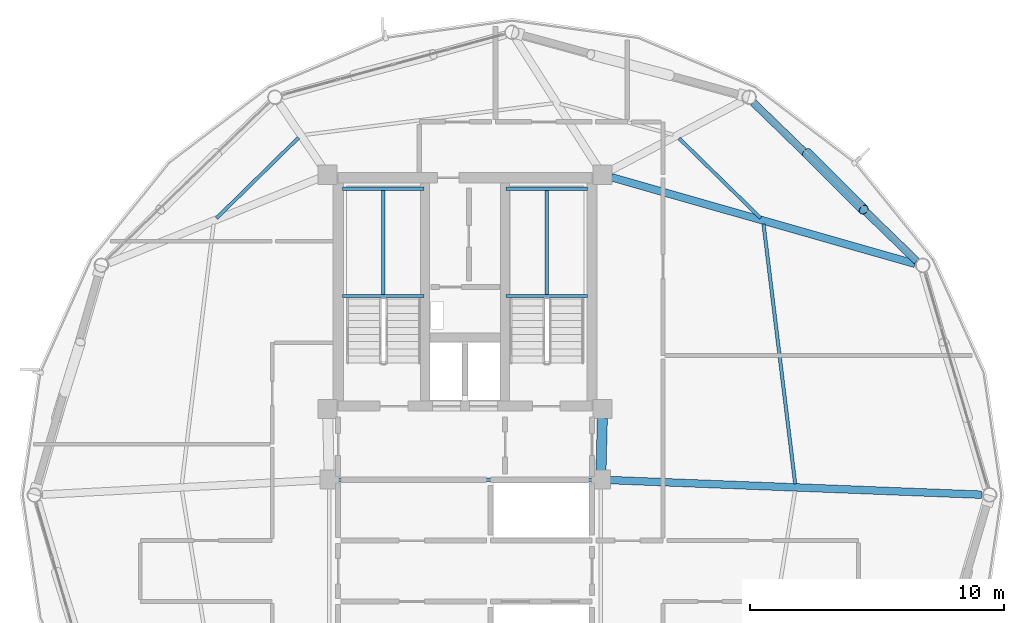
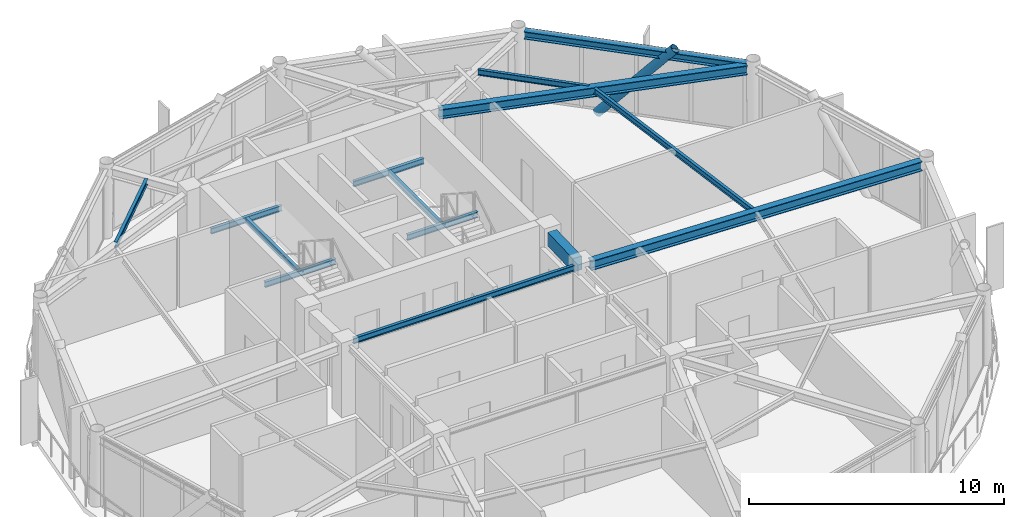
# One storey, part 14 of 27: 14 beams, 1 member.
"""IFC4 building model written with IfcOpenShell, lengths in metres."""

from ifc_helpers import new_model, si_unit, direction, frame, origin, origin_2d, place, context, subcontext, project, spatial, rectangle, hollow_circle, i_section, extrude, material, material_profile, profile_set, type_object, element, save


model = new_model("IFC4")

# Units and contexts
model_context = context("Model", 3, precision=1e-05, world=origin(), true_north=direction((0.0, 1.0)))
body_context = subcontext(model_context, "Body", "Model", "MODEL_VIEW")
ifc_project = project(units=[si_unit("LENGTHUNIT", "METRE"), si_unit("AREAUNIT", "SQUARE_METRE"), si_unit("VOLUMEUNIT", "CUBIC_METRE"), si_unit("PLANEANGLEUNIT", "RADIAN"), si_unit("MASSUNIT", "GRAM", prefix="KILO")], contexts=[model_context])

# Site, building, storey
site_placement = place(None, origin())
site = spatial("IfcSite", under=ifc_project, at=site_placement, CompositionType="ELEMENT")
building_placement = place(site_placement, origin())
building = spatial("IfcBuilding", under=site, at=building_placement, Name="Varnakorn Sky Granary", CompositionType="ELEMENT")
storey_placement = place(building_placement, frame((0.0, 0.0, 229.199951171875)))
storey = spatial("IfcBuildingStorey", under=building, at=storey_placement, Name="L58", CompositionType="ELEMENT", Elevation=229.199951171875)

# Beams
ifc_material_1 = material(Name="Concrete C50/60", Category="concrete")
ifc_material_profile_1 = material_profile(ifc_material_1, rectangle(XDim=0.39990234375, YDim=0.64990234375, at=origin_2d()), Name="RC 400x650")
ifc_profile_set_1 = profile_set([ifc_material_profile_1], Name="Concrete C50/60")
beam_type_1 = type_object("IfcBeamType", Name="BM-LIN-650", PredefinedType="LINTEL", material=ifc_profile_set_1)
beam_1_placement = place(storey_placement, frame((8.4111328125, 3.025146484375, 3.03515625), z_axis=(-0.025227817192, -0.999681727971, 0.0), x_axis=(0.999681727971, -0.025227817192, 0.0)))
element("IfcBeam", 1, at=beam_1_placement, inside=storey, type_object=beam_type_1, Name="Core Spine Framing Beam 2 L58", PredefinedType="LINTEL", context=body_context, shape_type="SweptSolid", body=[
    extrude(rectangle(XDim=0.39990234375, YDim=0.64990234375, at=origin_2d()), origin(), (0.0, 0.0, 1.0), 2.071044921875),
])
ifc_material_2 = material(Name="Steel S355JR", Category="steel")
ifc_material_profile_2 = material_profile(ifc_material_2, i_section(OverallWidth=0.135009765625, OverallDepth=0.27001953125, WebThickness=0.006591796875, FlangeThickness=0.01025390625, at=origin_2d()), Name="IPE 270")
ifc_profile_set_2 = profile_set([ifc_material_profile_2], Name="Steel S355JR")
beam_type_2 = type_object("IfcBeamType", Name="BM-LND-270", PredefinedType="BEAM", material=ifc_profile_set_2)
for number, where, z_axis, x_axis, name in (
    (2, (-1.820068359375, 7.840087890625, 1.465087890625), (1.0, 0.0, 0.0), (0.0, 1.0, 0.0), "Stair ST-1 Landing Trimmer Beam A L58-1"),
    (3, (-1.820068359375, 12.06005859375, 1.465087890625), (1.0, 0.0, 0.0), (0.0, 1.0, 0.0), "Stair ST-1 Landing Trimmer Beam B L58-1"),
):
    element("IfcBeam", number, at=place(storey_placement, frame(where, z_axis=z_axis, x_axis=x_axis)), inside=storey, type_object=beam_type_2, Name=name, PredefinedType="BEAM", context=body_context, shape_type="SweptSolid", body=[
        extrude(i_section(OverallWidth=0.135009765625, OverallDepth=0.27001953125, WebThickness=0.006591796875, FlangeThickness=0.01025390625, at=origin_2d()), origin(), (0.0, 0.0, 1.0), 3.199951171875),
    ])
beam_2_placement = place(storey_placement, frame((-0.219970703125, 7.840087890625, 1.465087890625), z_axis=(0.0, 1.0, 0.0), x_axis=(-1.0, 0.0, 0.0)))
element("IfcBeam", 4, at=beam_2_placement, inside=storey, type_object=beam_type_2, Name="Stair ST-1 Landing Cross Beam C L58-1", PredefinedType="BEAM", context=body_context, shape_type="SweptSolid", body=[
    extrude(i_section(OverallWidth=0.135009765625, OverallDepth=0.27001953125, WebThickness=0.006591796875, FlangeThickness=0.01025390625, at=origin_2d()), origin(), (0.0, 0.0, 1.0), 4.219970703125),
])
for number, where, z_axis, x_axis, name in (
    (5, (4.6201171875, 7.840087890625, 1.465087890625), (1.0, 0.0, 0.0), (0.0, 1.0, 0.0), "Stair ST-2 Landing Trimmer Beam A L58-1"),
    (6, (4.6201171875, 12.06005859375, 1.465087890625), (1.0, 0.0, 0.0), (0.0, 1.0, 0.0), "Stair ST-2 Landing Trimmer Beam B L58-1"),
):
    element("IfcBeam", number, at=place(storey_placement, frame(where, z_axis=z_axis, x_axis=x_axis)), inside=storey, type_object=beam_type_2, Name=name, PredefinedType="BEAM", context=body_context, shape_type="SweptSolid", body=[
        extrude(i_section(OverallWidth=0.135009765625, OverallDepth=0.27001953125, WebThickness=0.006591796875, FlangeThickness=0.01025390625, at=origin_2d()), origin(), (0.0, 0.0, 1.0), 3.199951171875),
    ])
beam_3_placement = place(storey_placement, frame((6.219970703125, 7.840087890625, 1.465087890625), z_axis=(0.0, 1.0, 0.0), x_axis=(-1.0, 0.0, 0.0)))
element("IfcBeam", 7, at=beam_3_placement, inside=storey, type_object=beam_type_2, Name="Stair ST-2 Landing Cross Beam C L58-1", PredefinedType="BEAM", context=body_context, shape_type="SweptSolid", body=[
    extrude(i_section(OverallWidth=0.135009765625, OverallDepth=0.27001953125, WebThickness=0.006591796875, FlangeThickness=0.01025390625, at=origin_2d()), origin(), (0.0, 0.0, 1.0), 4.219970703125),
])
ifc_material_profile_3 = material_profile(ifc_material_2, i_section(OverallWidth=0.300048828125, OverallDepth=0.449951171875, WebThickness=0.013916015625, FlangeThickness=0.02587890625, at=origin_2d()), Name="HE 450 B")
ifc_profile_set_3 = profile_set([ifc_material_profile_3], Name="Steel S355JR")
beam_type_3 = type_object("IfcBeamType", Name="BM-RAD-Z5", PredefinedType="BEAM", material=ifc_profile_set_3)
beam_4_placement = place(storey_placement, frame((8.70458984375, 0.586181640625, 3.135009765625), z_axis=(0.999228519968, -0.039272953581, 0.0), x_axis=(0.039272953581, 0.999228519968, 0.0)))
element("IfcBeam", 8, at=beam_4_placement, inside=storey, type_object=beam_type_3, Name="Radial Floor Girder RG01 L58", PredefinedType="BEAM", context=body_context, shape_type="SweptSolid", body=[
    extrude(i_section(OverallWidth=0.300048828125, OverallDepth=0.449951171875, WebThickness=0.013916015625, FlangeThickness=0.02587890625, at=origin_2d()), origin(), (0.0, 0.0, 1.0), 14.658447265625),
])
beam_5_placement = place(storey_placement, frame((8.761474609375, 12.522705078125, 3.135009765625), z_axis=(0.961648942909, -0.274283267082, 0.0), x_axis=(0.274283267082, 0.961648942909, 0.0)))
element("IfcBeam", 9, at=beam_5_placement, inside=storey, type_object=beam_type_3, Name="Radial Floor Girder RG02 L58", PredefinedType="BEAM", context=body_context, shape_type="SweptSolid", body=[
    extrude(i_section(OverallWidth=0.300048828125, OverallDepth=0.449951171875, WebThickness=0.013916015625, FlangeThickness=0.02587890625, at=origin_2d()), origin(), (0.0, 0.0, 1.0), 12.4462890625),
])
ifc_material_profile_4 = material_profile(ifc_material_2, i_section(OverallWidth=0.135009765625, OverallDepth=0.27001953125, WebThickness=0.006591796875, FlangeThickness=0.01025390625, at=origin_2d()), Name="IPE 270")
ifc_profile_set_4 = profile_set([ifc_material_profile_4], Name="Steel S355JR")
beam_type_4 = type_object("IfcBeamType", Name="BM-SEC-Z5", PredefinedType="BEAM", material=ifc_profile_set_4)
beam_6_placement = place(storey_placement, frame((16.01123046875, 0.437255859375, 3.22509765625), z_axis=(-0.121013421326, 0.992650871082, 0.0), x_axis=(-0.992650871082, -0.121013421326, 0.0)))
element("IfcBeam", 10, at=beam_6_placement, inside=storey, type_object=beam_type_4, Name="Secondary Floor Chord Beam MSB01 L58", PredefinedType="BEAM", context=body_context, shape_type="SweptSolid", body=[
    extrude(i_section(OverallWidth=0.135009765625, OverallDepth=0.27001953125, WebThickness=0.006591796875, FlangeThickness=0.01025390625, at=origin_2d()), origin(), (0.0, 0.0, 1.0), 10.3154296875),
])
beam_7_placement = place(storey_placement, frame((14.64599609375, 10.913818359375, 3.22509765625), z_axis=(-0.714613901004, 0.699519100877, 0.0), x_axis=(-0.699519100877, -0.714613901004, 0.0)))
element("IfcBeam", 11, at=beam_7_placement, inside=storey, type_object=beam_type_4, Name="Secondary Floor Chord Beam MSB02 L58", PredefinedType="BEAM", context=body_context, shape_type="SweptSolid", body=[
    extrude(i_section(OverallWidth=0.135009765625, OverallDepth=0.27001953125, WebThickness=0.006591796875, FlangeThickness=0.01025390625, at=origin_2d()), origin(), (0.0, 0.0, 1.0), 4.496337890625),
])
beam_8_placement = place(storey_placement, frame((-3.568115234375, 14.0751953125, 3.22509765625), z_axis=(-0.713772587496, -0.700377536289, 0.0), x_axis=(0.700377536289, -0.713772587496, 0.0)))
element("IfcBeam", 12, at=beam_8_placement, inside=storey, type_object=beam_type_4, Name="Secondary Floor Chord Beam MSB05 L58", PredefinedType="BEAM", context=body_context, shape_type="SweptSolid", body=[
    extrude(i_section(OverallWidth=0.135009765625, OverallDepth=0.27001953125, WebThickness=0.006591796875, FlangeThickness=0.01025390625, at=origin_2d()), origin(), (0.0, 0.0, 1.0), 4.52001953125),
])
beam_9_placement = place(storey_placement, frame((-1.9951171875, 0.60009765625, 3.22509765625), z_axis=(1.0, 0.0, 0.0), x_axis=(0.0, 1.0, 0.0)))
element("IfcBeam", 13, at=beam_9_placement, inside=storey, type_object=beam_type_4, Name="Core Spine Framing Beam 5 L58", PredefinedType="BEAM", context=body_context, shape_type="SweptSolid", body=[
    extrude(i_section(OverallWidth=0.135009765625, OverallDepth=0.27001953125, WebThickness=0.006591796875, FlangeThickness=0.01025390625, at=origin_2d()), origin(), (0.0, 0.0, 1.0), 9.990234375),
])
ifc_material_profile_5 = material_profile(ifc_material_2, i_section(OverallWidth=0.300048828125, OverallDepth=0.360107421875, WebThickness=0.012451171875, FlangeThickness=0.0224609375, at=origin_2d()), Name="HE 360 B")
ifc_profile_set_5 = profile_set([ifc_material_profile_5], Name="Steel S355JR")
beam_type_5 = type_object("IfcBeamType", Name="BM-SPD-Z5", PredefinedType="SPANDREL", material=ifc_profile_set_5)
beam_10_placement = place(storey_placement, frame((20.794921875, 9.220703125, 3.179931640625), z_axis=(-0.717760671114, 0.696289895806, 0.0), x_axis=(-0.696289895806, -0.717760671114, 0.0)))
element("IfcBeam", 14, at=beam_10_placement, inside=storey, type_object=beam_type_5, Name="Perimeter Spandrel Ring Beam RB02 L58", PredefinedType="SPANDREL", context=body_context, shape_type="SweptSolid", body=[
    extrude(i_section(OverallWidth=0.300048828125, OverallDepth=0.360107421875, WebThickness=0.012451171875, FlangeThickness=0.0224609375, at=origin_2d()), origin(), (0.0, 0.0, 1.0), 8.9716796875),
])

# Member
ifc_material_3 = material(Name="Steel S460M", Category="steel")
ifc_material_profile_6 = material_profile(ifc_material_3, hollow_circle(Radius=0.203125, WallThickness=0.01611328125, at=origin_2d()), Name="CHS 406.4x16")
ifc_profile_set_6 = profile_set([ifc_material_profile_6], Name="Steel S460M")
member_type = type_object("IfcMemberType", Name="MB-DIAG-T4", PredefinedType="BRACE", material=ifc_profile_set_6)
member_placement = place(storey_placement, frame((16.48095703125, 13.471923828125, -0.1298828125), z_axis=(0.464636007012, -0.464483467286, 0.75390217509), x_axis=(0.706990681233, 0.707222862081, 0.0)))
element("IfcMember", 15, at=member_placement, inside=storey, type_object=member_type, Name="Perimeter CHS Diagrid Brace DG02 L58", PredefinedType="BRACE", context=body_context, shape_type="SweptSolid", body=[
    extrude(hollow_circle(Radius=0.203125, WallThickness=0.01611328125, at=origin_2d()), origin(), (0.0, 0.0, 1.0), 4.801513671875),
])

save(model, "model.ifc")
